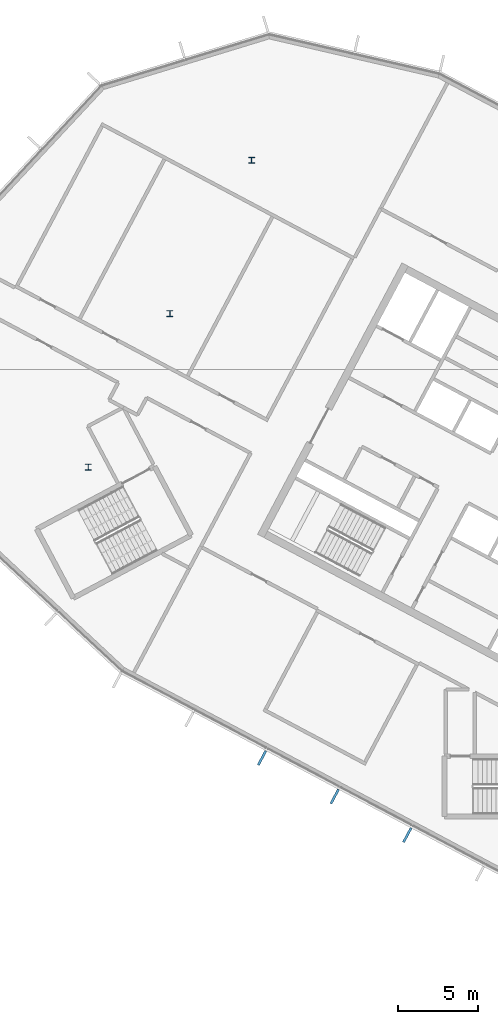
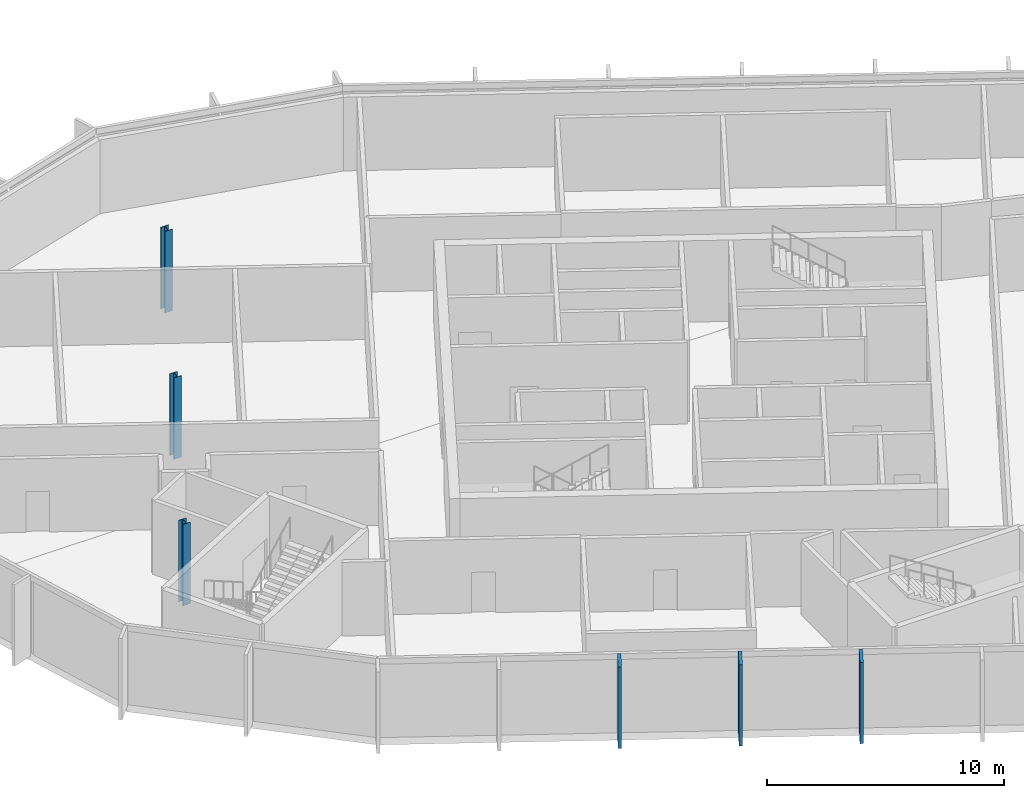
# One storey, part 2 of 16: 3 columns, 3 members, 1 element without a shape of its own.
"""IFC4 building model written with IfcOpenShell, lengths in metres."""

from ifc_helpers import new_model, si_unit, direction, frame, origin, origin_2d, place, context, subcontext, project, spatial, rectangle, i_section, extrude, material, layer, layer_set, material_profile, profile_set, type_object, element, aggregate, save


model = new_model("IFC4")

# Units and contexts
model_context = context("Model", 3, precision=1e-05, world=origin(), true_north=direction((0.0, 1.0)))
body_context = subcontext(model_context, "Body", "Model", "MODEL_VIEW")
ifc_project = project(units=[si_unit("LENGTHUNIT", "METRE"), si_unit("AREAUNIT", "SQUARE_METRE"), si_unit("VOLUMEUNIT", "CUBIC_METRE"), si_unit("PLANEANGLEUNIT", "RADIAN"), si_unit("MASSUNIT", "GRAM", prefix="KILO")], contexts=[model_context])

# Site, building, storey
site_placement = place(None, origin())
site = spatial("IfcSite", under=ifc_project, at=site_placement, CompositionType="ELEMENT")
building_placement = place(site_placement, origin())
building = spatial("IfcBuilding", under=site, at=building_placement, Name="Cormorant Relay Tower", CompositionType="ELEMENT")
storey_placement = place(building_placement, frame((0.0, 0.0, 328.199951171875)))
storey = spatial("IfcBuildingStorey", under=building, at=storey_placement, Name="C1", CompositionType="ELEMENT", Elevation=328.199951171875)

# Columns
ifc_material_1 = material(Name="Steel ASTM A992 (Fy 345 MPa)", Category="steel")
ifc_material_profile_1 = material_profile(ifc_material_1, i_section(OverallWidth=0.373291015625, OverallDepth=0.373291015625, WebThickness=0.016357421875, FlangeThickness=0.026123046875, FilletRadius=0.01513671875, at=origin_2d()), Name="W360x196")
ifc_profile_set_1 = profile_set([ifc_material_profile_1], Name="Steel ASTM A992 (Fy 345 MPa)")
column_type = type_object("IfcColumnType", Name="Column W360x196", PredefinedType="COLUMN", material=ifc_profile_set_1)
for number, where, z_axis, x_axis, name in (
    (1, (-51.68994140625, 15.251953125, 0.0), (0.0, 0.0, 1.0), (1.0, 0.0, 0.0), "Column C1-005"),
    (2, (-46.6201171875, 24.7880859375, 0.0), (0.0, 0.0, 1.0), (1.0, 0.0, 0.0), "Column C1-006"),
    (3, (-41.549072265625, 34.323974609375, 0.0), (0.0, 0.0, 1.0), (1.0, 0.0, 0.0), "Column C1-007"),
):
    element("IfcColumn", number, at=place(storey_placement, frame(where, z_axis=z_axis, x_axis=x_axis)), inside=storey, type_object=column_type, Name=name, PredefinedType="COLUMN", context=body_context, shape_type="SweptSolid", body=[
        extrude(i_section(OverallWidth=0.373291015625, OverallDepth=0.373291015625, WebThickness=0.016357421875, FlangeThickness=0.026123046875, FilletRadius=0.01513671875, at=origin_2d()), origin(), (0.0, 0.0, 1.0), 4.199951171875),
    ])

# Curtain wall, members
ifc_material_2 = material(Name="Aluminium 6063-T6 anodised bronze", Category="aluminium")
ifc_layer = layer(ifc_material_2, 0.199951171875)
ifc_layer_set = layer_set([ifc_layer], Name="CW3 crown screen wall")
curtain_wall_type = type_object("IfcCurtainWallType", Name="CW3 crown screen wall", PredefinedType="NOTDEFINED", material=ifc_layer_set)
curtain_wall_placement = place(storey_placement, origin())
curtain_wall = element("IfcCurtainWall", 4, at=curtain_wall_placement, inside=storey, type_object=curtain_wall_type, Name="CW3 curtain wall 1", PredefinedType="NOTDEFINED")
ifc_material_3 = material(Name="Aluminium 6063-T6 anodised bronze", Category="aluminium")
ifc_material_profile_2 = material_profile(ifc_material_3, rectangle(XDim=0.14990234375, YDim=1.0, at=origin_2d()), Name="AL 150x1000")
ifc_profile_set_2 = profile_set([ifc_material_profile_2], Name="Aluminium 6063-T6 anodised bronze")
member_type = type_object("IfcMemberType", Name="CW3 bronze fin mullion 150 x 1000", PredefinedType="MULLION", material=ifc_profile_set_2)
member_1_placement = place(storey_placement, frame((-40.89453125, -2.832763671875, 0.0), z_axis=(0.0, 0.0, 1.0), x_axis=(0.882947592859, -0.469471562786, 0.0)))
member_1 = element("IfcMember", 5, at=member_1_placement, type_object=member_type, Name="CW3 fin 1.3", PredefinedType="MULLION", context=body_context, shape_type="SweptSolid", body=[
    extrude(rectangle(XDim=0.14990234375, YDim=1.0, at=origin_2d()), origin(), (0.0, 0.0, 1.0), 4.199951171875),
])
member_2_placement = place(storey_placement, frame((-36.3818359375, -5.232177734375, 0.0), z_axis=(0.0, 0.0, 1.0), x_axis=(0.882947592859, -0.469471562786, 0.0)))
member_2 = element("IfcMember", 6, at=member_2_placement, type_object=member_type, Name="CW3 fin 1.4", PredefinedType="MULLION", context=body_context, shape_type="SweptSolid", body=[
    extrude(rectangle(XDim=0.14990234375, YDim=1.0, at=origin_2d()), origin(), (0.0, 0.0, 1.0), 4.199951171875),
])
member_3_placement = place(storey_placement, frame((-31.868896484375, -7.631591796875, 0.0), z_axis=(0.0, 0.0, 1.0), x_axis=(0.882947592859, -0.469471562786, 0.0)))
member_3 = element("IfcMember", 7, at=member_3_placement, type_object=member_type, Name="CW3 fin 1.5", PredefinedType="MULLION", context=body_context, shape_type="SweptSolid", body=[
    extrude(rectangle(XDim=0.14990234375, YDim=1.0, at=origin_2d()), origin(), (0.0, 0.0, 1.0), 4.199951171875),
])
aggregate(curtain_wall, [member_1, member_2, member_3])

save(model, "model.ifc")
